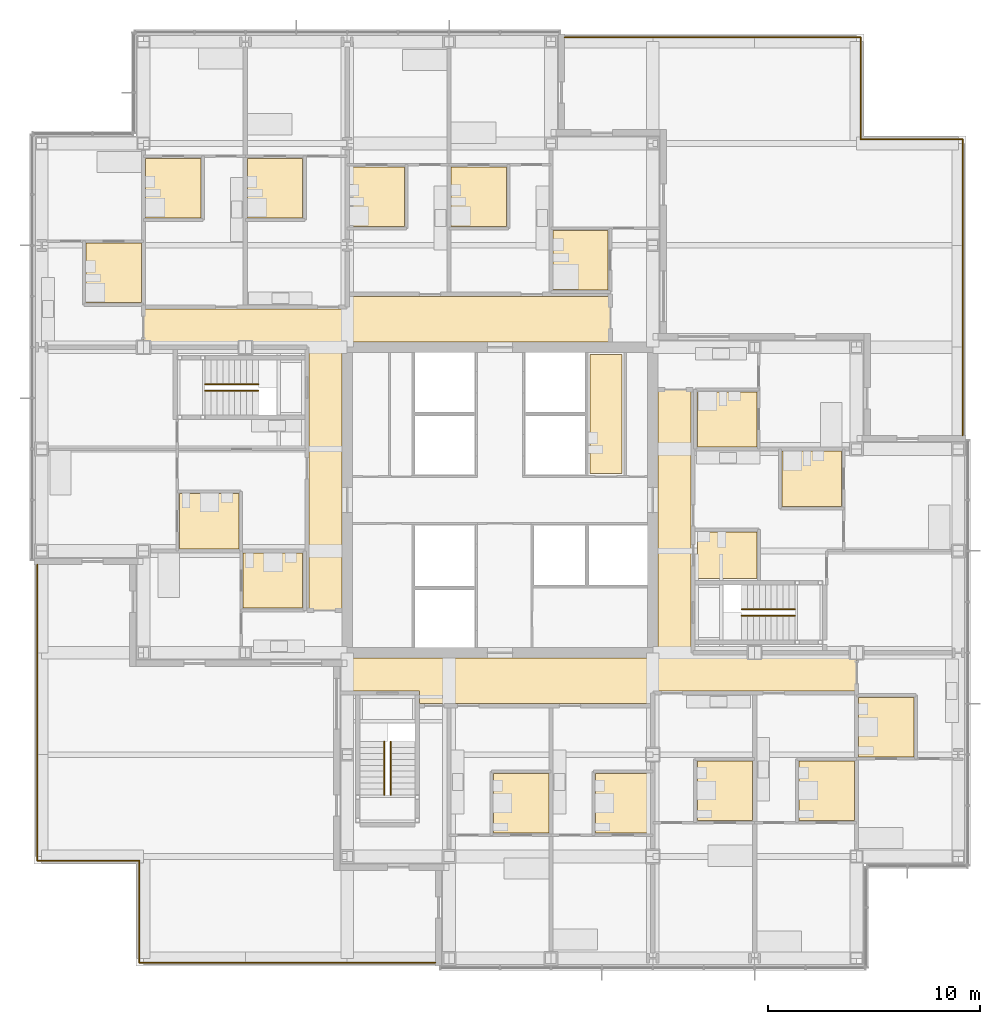
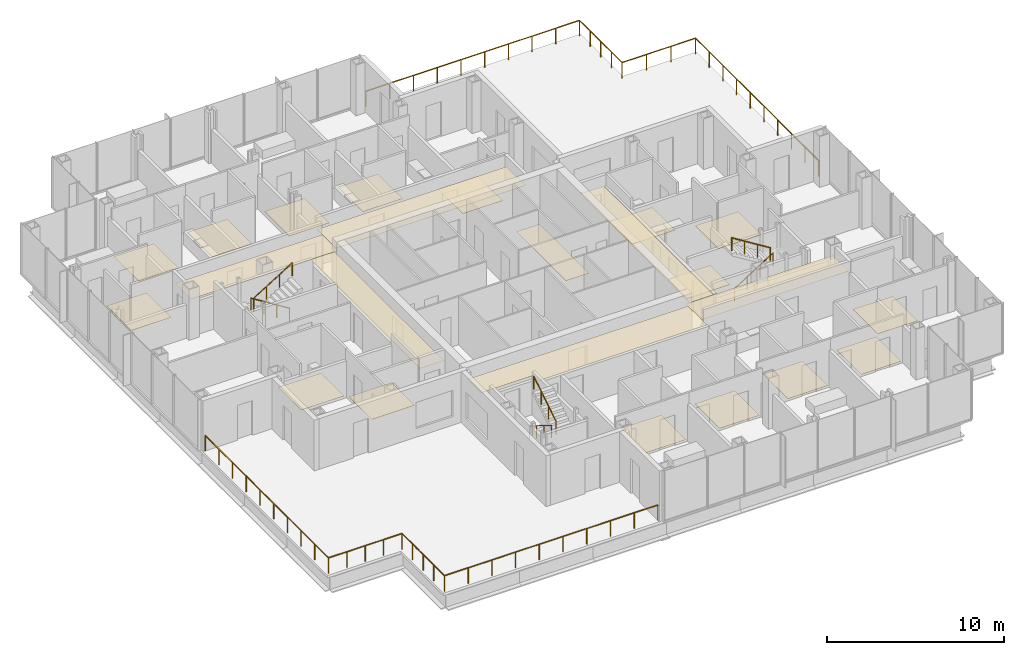
# One storey, part 17 of 19: 23 coverings, 14 railings.
"""IFC4 building model written with IfcOpenShell, lengths in metres."""

from ifc_helpers import new_model, si_unit, direction, frame, origin, origin_2d, place, context, subcontext, project, spatial, polyline, circle, outline, extrude, material, layer, layer_set, type_object, element, save


model = new_model("IFC4")

# Units and contexts
model_context = context("Model", 3, precision=1e-05, world=origin(), true_north=direction((0.0, 1.0)))
body_context = subcontext(model_context, "Body", "Model", "MODEL_VIEW")
ifc_project = project(units=[si_unit("LENGTHUNIT", "METRE"), si_unit("AREAUNIT", "SQUARE_METRE"), si_unit("VOLUMEUNIT", "CUBIC_METRE"), si_unit("PLANEANGLEUNIT", "RADIAN"), si_unit("MASSUNIT", "GRAM", prefix="KILO")], contexts=[model_context])

# Site, building, storey
site_placement = place(None, origin())
site = spatial("IfcSite", under=ifc_project, at=site_placement, CompositionType="ELEMENT")
building_placement = place(site_placement, origin())
building = spatial("IfcBuilding", under=site, at=building_placement, Name="Kvirike Care Tower", CompositionType="ELEMENT")
storey_placement = place(building_placement, frame((0.0, 0.0, 84.0)))
storey = spatial("IfcBuildingStorey", under=building, at=storey_placement, Name="L22", CompositionType="ELEMENT", Elevation=84.0)

# Coverings
ifc_material_1 = material(Name="Perforated metal ceiling tile", Category="aluminium")
ifc_layer_1 = layer(ifc_material_1, 0.014892578125)
ifc_layer_set_1 = layer_set([ifc_layer_1], Name="CORRIDOR CEILING 15")
covering_type_1 = type_object("IfcCoveringType", Name="CORRIDOR CEILING 15", PredefinedType="CEILING", material=ifc_layer_set_1)
covering_1_placement = place(storey_placement, frame((0.0, 0.0, 2.5)))
element("IfcCovering", 1, at=covering_1_placement, inside=storey, type_object=covering_type_1, Name="Corridor ceiling L22", PredefinedType="CEILING", context=body_context, shape_type="SweptSolid", body=[
    extrude(outline(polyline([(14.14990234375, 43.199951171875), (14.14990234375, 30.800048828125), (12.60009765625, 30.800048828125), (12.60009765625, 43.199951171875), (14.14990234375, 43.199951171875)])), origin(), (0.0, 0.0, 1.0), 0.014892578125),
])
covering_2_placement = place(storey_placement, frame((0.0, 0.0, 2.5)))
element("IfcCovering", 2, at=covering_2_placement, inside=storey, type_object=covering_type_1, Name="Corridor ceiling L22", PredefinedType="CEILING", context=body_context, shape_type="SweptSolid", body=[
    extrude(outline(polyline([(14.39990234375, 45.0), (14.39990234375, 43.199951171875), (4.800048828125, 43.199951171875), (4.800048828125, 45.0), (14.39990234375, 45.0)])), origin(), (0.0, 0.0, 1.0), 0.014892578125),
])
covering_3_placement = place(storey_placement, frame((0.0, 0.0, 2.5)))
element("IfcCovering", 3, at=covering_3_placement, inside=storey, type_object=covering_type_1, Name="Corridor ceiling L22", PredefinedType="CEILING", context=body_context, shape_type="SweptSolid", body=[
    extrude(outline(polyline([(14.39990234375, 28.550048828125), (28.800048828125, 28.550048828125), (28.800048828125, 26.39990234375), (17.800048828125, 26.39990234375), (17.800048828125, 27.0), (14.39990234375, 27.0), (14.39990234375, 28.550048828125)])), origin(), (0.0, 0.0, 1.0), 0.014892578125),
])
covering_4_placement = place(storey_placement, frame((0.0, 0.0, 2.5)))
element("IfcCovering", 4, at=covering_4_placement, inside=storey, type_object=covering_type_1, Name="Corridor ceiling L22", PredefinedType="CEILING", context=body_context, shape_type="SweptSolid", body=[
    extrude(outline(polyline([(14.39990234375, 43.449951171875), (14.39990234375, 45.60009765625), (26.800048828125, 45.60009765625), (26.800048828125, 43.449951171875), (14.39990234375, 43.449951171875)])), origin(), (0.0, 0.0, 1.0), 0.014892578125),
])
covering_5_placement = place(storey_placement, frame((0.0, 0.0, 2.5)))
element("IfcCovering", 5, at=covering_5_placement, inside=storey, type_object=covering_type_1, Name="Corridor ceiling L22", PredefinedType="CEILING", context=body_context, shape_type="SweptSolid", body=[
    extrude(outline(polyline([(28.800048828125, 27.0), (28.800048828125, 28.800048828125), (38.39990234375, 28.800048828125), (38.39990234375, 27.0), (28.800048828125, 27.0)])), origin(), (0.0, 0.0, 1.0), 0.014892578125),
])
covering_6_placement = place(storey_placement, frame((0.0, 0.0, 2.5)))
element("IfcCovering", 6, at=covering_6_placement, inside=storey, type_object=covering_type_1, Name="Corridor ceiling L22", PredefinedType="CEILING", context=body_context, shape_type="SweptSolid", body=[
    extrude(outline(polyline([(29.050048828125, 28.800048828125), (29.050048828125, 41.199951171875), (30.60009765625, 41.199951171875), (30.60009765625, 28.800048828125), (29.050048828125, 28.800048828125)])), origin(), (0.0, 0.0, 1.0), 0.014892578125),
])

# Railings
ifc_material_2 = material(Name="Stainless steel handrail", Category="steel")
railing_type_1 = type_object("IfcRailingType", Name="STAIR HANDRAIL 900", PredefinedType="HANDRAIL", material=ifc_material_2)
railing_1_placement = place(storey_placement, frame((10.219970703125, 41.449951171875, 0.175048828125)))
element("IfcRailing", 7, at=railing_1_placement, inside=storey, type_object=railing_type_1, Name="Stair 1 handrail L22 flight 1", PredefinedType="HANDRAIL", context=body_context, shape_type="SweptSolid", body=[
    extrude(circle(Radius=0.02490234375, at=origin_2d()), frame((0.0, 0.0, 0.875), z_axis=(-0.848007534815, 0.0, 0.529984170421), x_axis=(0.0, -1.0, 0.0)), (0.0, 0.0, 1.0), 2.9716796875),
    extrude(circle(Radius=0.02001953125, at=origin_2d()), origin(), (0.0, 0.0, 1.0), 0.849853515625),
    extrude(circle(Radius=0.02001953125, at=origin_2d()), frame((-0.840087890625, 0.0, 0.52490234375)), (0.0, 0.0, 1.0), 0.849853515625),
    extrude(circle(Radius=0.02001953125, at=origin_2d()), frame((-1.679931640625, 0.0, 1.050048828125)), (0.0, 0.0, 1.0), 0.849853515625),
    extrude(circle(Radius=0.02001953125, at=origin_2d()), frame((-2.52001953125, 0.0, 1.574951171875)), (0.0, 0.0, 1.0), 0.849853515625),
])
for number, where, name in (
    (8, (7.699951171875, 41.14990234375, 1.925048828125), "Stair 1 handrail L22 flight 2"),
    (9, (32.97998046875, 30.550048828125, 0.175048828125), "Stair 2 handrail L22 flight 1"),
):
    element("IfcRailing", number, at=place(storey_placement, frame(where)), inside=storey, type_object=railing_type_1, Name=name, PredefinedType="HANDRAIL", context=body_context, shape_type="SweptSolid", body=[
        extrude(circle(Radius=0.02490234375, at=origin_2d()), frame((0.0, 0.0, 0.875), z_axis=(0.848007534815, 0.0, 0.529984170421), x_axis=(0.0, 1.0, 0.0)), (0.0, 0.0, 1.0), 2.9716796875),
        extrude(circle(Radius=0.02001953125, at=origin_2d()), origin(), (0.0, 0.0, 1.0), 0.849853515625),
        extrude(circle(Radius=0.02001953125, at=origin_2d()), frame((0.840087890625, 0.0, 0.52490234375)), (0.0, 0.0, 1.0), 0.849853515625),
        extrude(circle(Radius=0.02001953125, at=origin_2d()), frame((1.679931640625, 0.0, 1.050048828125)), (0.0, 0.0, 1.0), 0.849853515625),
        extrude(circle(Radius=0.02001953125, at=origin_2d()), frame((2.52001953125, 0.0, 1.574951171875)), (0.0, 0.0, 1.0), 0.849853515625),
    ])
railing_2_placement = place(storey_placement, frame((35.5, 30.85009765625, 1.925048828125)))
element("IfcRailing", 10, at=railing_2_placement, inside=storey, type_object=railing_type_1, Name="Stair 2 handrail L22 flight 2", PredefinedType="HANDRAIL", context=body_context, shape_type="SweptSolid", body=[
    extrude(circle(Radius=0.02490234375, at=origin_2d()), frame((0.0, 0.0, 0.875), z_axis=(-0.848007534815, 0.0, 0.529984170421), x_axis=(0.0, -1.0, 0.0)), (0.0, 0.0, 1.0), 2.9716796875),
    extrude(circle(Radius=0.02001953125, at=origin_2d()), origin(), (0.0, 0.0, 1.0), 0.849853515625),
    extrude(circle(Radius=0.02001953125, at=origin_2d()), frame((-0.840087890625, 0.0, 0.52490234375)), (0.0, 0.0, 1.0), 0.849853515625),
    extrude(circle(Radius=0.02001953125, at=origin_2d()), frame((-1.679931640625, 0.0, 1.050048828125)), (0.0, 0.0, 1.0), 0.849853515625),
    extrude(circle(Radius=0.02001953125, at=origin_2d()), frame((-2.52001953125, 0.0, 1.574951171875)), (0.0, 0.0, 1.0), 0.849853515625),
])
railing_3_placement = place(storey_placement, frame((16.14990234375, 24.6201171875, 0.175048828125)))
element("IfcRailing", 11, at=railing_3_placement, inside=storey, type_object=railing_type_1, Name="Stair 5 handrail L22 flight 1", PredefinedType="HANDRAIL", context=body_context, shape_type="SweptSolid", body=[
    extrude(circle(Radius=0.02490234375, at=origin_2d()), frame((0.0, 0.0, 0.875), z_axis=(0.0, -0.848007534815, 0.529984170421), x_axis=(1.0, 0.0, 0.0)), (0.0, 0.0, 1.0), 2.9716796875),
    extrude(circle(Radius=0.02001953125, at=origin_2d()), origin(), (0.0, 0.0, 1.0), 0.849853515625),
    extrude(circle(Radius=0.02001953125, at=origin_2d()), frame((0.0, -0.840087890625, 0.52490234375)), (0.0, 0.0, 1.0), 0.849853515625),
    extrude(circle(Radius=0.02001953125, at=origin_2d()), frame((0.0, -1.679931640625, 1.050048828125)), (0.0, 0.0, 1.0), 0.849853515625),
    extrude(circle(Radius=0.02001953125, at=origin_2d()), frame((0.0, -2.52001953125, 1.574951171875)), (0.0, 0.0, 1.0), 0.849853515625),
])
railing_4_placement = place(storey_placement, frame((16.449951171875, 22.10009765625, 1.925048828125)))
element("IfcRailing", 12, at=railing_4_placement, inside=storey, type_object=railing_type_1, Name="Stair 5 handrail L22 flight 2", PredefinedType="HANDRAIL", context=body_context, shape_type="SweptSolid", body=[
    extrude(circle(Radius=0.02490234375, at=origin_2d()), frame((0.0, 0.0, 0.875), z_axis=(0.0, 0.848007534815, 0.529984170421), x_axis=(-1.0, 0.0, 0.0)), (0.0, 0.0, 1.0), 2.9716796875),
    extrude(circle(Radius=0.02001953125, at=origin_2d()), origin(), (0.0, 0.0, 1.0), 0.849853515625),
    extrude(circle(Radius=0.02001953125, at=origin_2d()), frame((0.0, 0.840087890625, 0.52490234375)), (0.0, 0.0, 1.0), 0.849853515625),
    extrude(circle(Radius=0.02001953125, at=origin_2d()), frame((0.0, 1.679931640625, 1.050048828125)), (0.0, 0.0, 1.0), 0.849853515625),
    extrude(circle(Radius=0.02001953125, at=origin_2d()), frame((0.0, 2.52001953125, 1.574951171875)), (0.0, 0.0, 1.0), 0.849853515625),
])
ifc_material_3 = material(Name="Bronze-finish steel guard with glass infill", Category="steel")
railing_type_2 = type_object("IfcRailingType", Name="TERRACE GUARD 1100", PredefinedType="GUARDRAIL", material=ifc_material_3)
railing_5_placement = place(storey_placement, frame((-0.199951171875, 32.949951171875, 0.0)))
element("IfcRailing", 13, at=railing_5_placement, inside=storey, type_object=railing_type_2, Name="Terrace guard L22 1", PredefinedType="GUARDRAIL", context=body_context, shape_type="SweptSolid", body=[
    extrude(circle(Radius=0.02392578125, at=origin_2d()), frame((0.0, 0.0, 1.076171875), z_axis=(0.0, -1.0, 0.0), x_axis=(1.0, 0.0, 0.0)), (0.0, 0.0, 1.0), 13.949951171875),
    extrude(circle(Radius=0.02099609375, at=origin_2d()), origin(), (0.0, 0.0, 1.0), 1.052001953125),
    extrude(circle(Radius=0.02099609375, at=origin_2d()), frame((0.0, -1.550048828125, 0.0)), (0.0, 0.0, 1.0), 1.052001953125),
    extrude(circle(Radius=0.02099609375, at=origin_2d()), frame((0.0, -3.10009765625, 0.0)), (0.0, 0.0, 1.0), 1.052001953125),
    extrude(circle(Radius=0.02099609375, at=origin_2d()), frame((0.0, -4.64990234375, 0.0)), (0.0, 0.0, 1.0), 1.052001953125),
    extrude(circle(Radius=0.02099609375, at=origin_2d()), frame((0.0, -6.199951171875, 0.0)), (0.0, 0.0, 1.0), 1.052001953125),
    extrude(circle(Radius=0.02099609375, at=origin_2d()), frame((0.0, -7.75, 0.0)), (0.0, 0.0, 1.0), 1.052001953125),
    extrude(circle(Radius=0.02099609375, at=origin_2d()), frame((0.0, -9.300048828125, 0.0)), (0.0, 0.0, 1.0), 1.052001953125),
    extrude(circle(Radius=0.02099609375, at=origin_2d()), frame((0.0, -10.849853515625, 0.0)), (0.0, 0.0, 1.0), 1.052001953125),
    extrude(circle(Radius=0.02099609375, at=origin_2d()), frame((0.0, -12.39990234375, 0.0)), (0.0, 0.0, 1.0), 1.052001953125),
    extrude(circle(Radius=0.02099609375, at=origin_2d()), frame((0.0, -13.949951171875, 0.0)), (0.0, 0.0, 1.0), 1.052001953125),
])
railing_6_placement = place(storey_placement, frame((-0.199951171875, 19.0, 0.0)))
element("IfcRailing", 14, at=railing_6_placement, inside=storey, type_object=railing_type_2, Name="Terrace guard L22 2", PredefinedType="GUARDRAIL", context=body_context, shape_type="SweptSolid", body=[
    extrude(circle(Radius=0.02392578125, at=origin_2d()), frame((0.0, 0.0, 1.076171875), z_axis=(1.0, 0.0, 0.0), x_axis=(0.0, 1.0, 0.0)), (0.0, 0.0, 1.0), 4.800048828125),
    extrude(circle(Radius=0.02099609375, at=origin_2d()), origin(), (0.0, 0.0, 1.0), 1.052001953125),
    extrude(circle(Radius=0.02099609375, at=origin_2d()), frame((1.199951171875, 0.0, 0.0)), (0.0, 0.0, 1.0), 1.052001953125),
    extrude(circle(Radius=0.02099609375, at=origin_2d()), frame((2.39990234375, 0.0, 0.0)), (0.0, 0.0, 1.0), 1.052001953125),
    extrude(circle(Radius=0.02099609375, at=origin_2d()), frame((3.60009765625, 0.0, 0.0)), (0.0, 0.0, 1.0), 1.052001953125),
    extrude(circle(Radius=0.02099609375, at=origin_2d()), frame((4.800048828125, 0.0, 0.0)), (0.0, 0.0, 1.0), 1.052001953125),
])
railing_7_placement = place(storey_placement, frame((4.60009765625, 19.0, 0.0)))
element("IfcRailing", 15, at=railing_7_placement, inside=storey, type_object=railing_type_2, Name="Terrace guard L22 3", PredefinedType="GUARDRAIL", context=body_context, shape_type="SweptSolid", body=[
    extrude(circle(Radius=0.02392578125, at=origin_2d()), frame((0.0, 0.0, 1.076171875), z_axis=(0.0, -1.0, 0.0), x_axis=(1.0, 0.0, 0.0)), (0.0, 0.0, 1.0), 4.800048828125),
    extrude(circle(Radius=0.02099609375, at=origin_2d()), origin(), (0.0, 0.0, 1.0), 1.052001953125),
    extrude(circle(Radius=0.02099609375, at=origin_2d()), frame((0.0, -1.199951171875, 0.0)), (0.0, 0.0, 1.0), 1.052001953125),
    extrude(circle(Radius=0.02099609375, at=origin_2d()), frame((0.0, -2.39990234375, 0.0)), (0.0, 0.0, 1.0), 1.052001953125),
    extrude(circle(Radius=0.02099609375, at=origin_2d()), frame((0.0, -3.60009765625, 0.0)), (0.0, 0.0, 1.0), 1.052001953125),
    extrude(circle(Radius=0.02099609375, at=origin_2d()), frame((0.0, -4.800048828125, 0.0)), (0.0, 0.0, 1.0), 1.052001953125),
])
railing_8_placement = place(storey_placement, frame((4.60009765625, 14.199951171875, 0.0)))
element("IfcRailing", 16, at=railing_8_placement, inside=storey, type_object=railing_type_2, Name="Terrace guard L22 4", PredefinedType="GUARDRAIL", context=body_context, shape_type="SweptSolid", body=[
    extrude(circle(Radius=0.02392578125, at=origin_2d()), frame((0.0, 0.0, 1.076171875), z_axis=(1.0, 0.0, 0.0), x_axis=(0.0, 1.0, 0.0)), (0.0, 0.0, 1.0), 13.949951171875),
    extrude(circle(Radius=0.02099609375, at=origin_2d()), origin(), (0.0, 0.0, 1.0), 1.052001953125),
    extrude(circle(Radius=0.02099609375, at=origin_2d()), frame((1.550048828125, 0.0, 0.0)), (0.0, 0.0, 1.0), 1.052001953125),
    extrude(circle(Radius=0.02099609375, at=origin_2d()), frame((3.10009765625, 0.0, 0.0)), (0.0, 0.0, 1.0), 1.052001953125),
    extrude(circle(Radius=0.02099609375, at=origin_2d()), frame((4.64990234375, 0.0, 0.0)), (0.0, 0.0, 1.0), 1.052001953125),
    extrude(circle(Radius=0.02099609375, at=origin_2d()), frame((6.199951171875, 0.0, 0.0)), (0.0, 0.0, 1.0), 1.052001953125),
    extrude(circle(Radius=0.02099609375, at=origin_2d()), frame((7.75, 0.0, 0.0)), (0.0, 0.0, 1.0), 1.052001953125),
    extrude(circle(Radius=0.02099609375, at=origin_2d()), frame((9.300048828125, 0.0, 0.0)), (0.0, 0.0, 1.0), 1.052001953125),
    extrude(circle(Radius=0.02099609375, at=origin_2d()), frame((10.849853515625, 0.0, 0.0)), (0.0, 0.0, 1.0), 1.052001953125),
    extrude(circle(Radius=0.02099609375, at=origin_2d()), frame((12.39990234375, 0.0, 0.0)), (0.0, 0.0, 1.0), 1.052001953125),
    extrude(circle(Radius=0.02099609375, at=origin_2d()), frame((13.949951171875, 0.0, 0.0)), (0.0, 0.0, 1.0), 1.052001953125),
])
railing_9_placement = place(storey_placement, frame((43.39990234375, 39.050048828125, 0.0)))
element("IfcRailing", 17, at=railing_9_placement, inside=storey, type_object=railing_type_2, Name="Terrace guard L22 5", PredefinedType="GUARDRAIL", context=body_context, shape_type="SweptSolid", body=[
    extrude(circle(Radius=0.02392578125, at=origin_2d()), frame((0.0, 0.0, 1.076171875), z_axis=(0.0, 1.0, 0.0), x_axis=(-1.0, 0.0, 0.0)), (0.0, 0.0, 1.0), 13.949951171875),
    extrude(circle(Radius=0.02099609375, at=origin_2d()), origin(), (0.0, 0.0, 1.0), 1.052001953125),
    extrude(circle(Radius=0.02099609375, at=origin_2d()), frame((0.0, 1.550048828125, 0.0)), (0.0, 0.0, 1.0), 1.052001953125),
    extrude(circle(Radius=0.02099609375, at=origin_2d()), frame((0.0, 3.10009765625, 0.0)), (0.0, 0.0, 1.0), 1.052001953125),
    extrude(circle(Radius=0.02099609375, at=origin_2d()), frame((0.0, 4.64990234375, 0.0)), (0.0, 0.0, 1.0), 1.052001953125),
    extrude(circle(Radius=0.02099609375, at=origin_2d()), frame((0.0, 6.199951171875, 0.0)), (0.0, 0.0, 1.0), 1.052001953125),
    extrude(circle(Radius=0.02099609375, at=origin_2d()), frame((0.0, 7.75, 0.0)), (0.0, 0.0, 1.0), 1.052001953125),
    extrude(circle(Radius=0.02099609375, at=origin_2d()), frame((0.0, 9.300048828125, 0.0)), (0.0, 0.0, 1.0), 1.052001953125),
    extrude(circle(Radius=0.02099609375, at=origin_2d()), frame((0.0, 10.849853515625, 0.0)), (0.0, 0.0, 1.0), 1.052001953125),
    extrude(circle(Radius=0.02099609375, at=origin_2d()), frame((0.0, 12.39990234375, 0.0)), (0.0, 0.0, 1.0), 1.052001953125),
    extrude(circle(Radius=0.02099609375, at=origin_2d()), frame((0.0, 13.949951171875, 0.0)), (0.0, 0.0, 1.0), 1.052001953125),
])
railing_10_placement = place(storey_placement, frame((43.39990234375, 53.0, 0.0)))
element("IfcRailing", 18, at=railing_10_placement, inside=storey, type_object=railing_type_2, Name="Terrace guard L22 6", PredefinedType="GUARDRAIL", context=body_context, shape_type="SweptSolid", body=[
    extrude(circle(Radius=0.02392578125, at=origin_2d()), frame((0.0, 0.0, 1.076171875), z_axis=(-1.0, 0.0, 0.0), x_axis=(0.0, -1.0, 0.0)), (0.0, 0.0, 1.0), 4.7998046875),
    extrude(circle(Radius=0.02099609375, at=origin_2d()), origin(), (0.0, 0.0, 1.0), 1.052001953125),
    extrude(circle(Radius=0.02099609375, at=origin_2d()), frame((-1.599853515625, 0.0, 0.0)), (0.0, 0.0, 1.0), 1.052001953125),
    extrude(circle(Radius=0.02099609375, at=origin_2d()), frame((-3.199951171875, 0.0, 0.0)), (0.0, 0.0, 1.0), 1.052001953125),
    extrude(circle(Radius=0.02099609375, at=origin_2d()), frame((-4.7998046875, 0.0, 0.0)), (0.0, 0.0, 1.0), 1.052001953125),
])
railing_11_placement = place(storey_placement, frame((38.60009765625, 53.0, 0.0)))
element("IfcRailing", 19, at=railing_11_placement, inside=storey, type_object=railing_type_2, Name="Terrace guard L22 7", PredefinedType="GUARDRAIL", context=body_context, shape_type="SweptSolid", body=[
    extrude(circle(Radius=0.02392578125, at=origin_2d()), frame((0.0, 0.0, 1.076171875), z_axis=(0.0, 1.0, 0.0), x_axis=(-1.0, 0.0, 0.0)), (0.0, 0.0, 1.0), 4.800048828125),
    extrude(circle(Radius=0.02099609375, at=origin_2d()), origin(), (0.0, 0.0, 1.0), 1.052001953125),
    extrude(circle(Radius=0.02099609375, at=origin_2d()), frame((0.0, 1.199951171875, 0.0)), (0.0, 0.0, 1.0), 1.052001953125),
    extrude(circle(Radius=0.02099609375, at=origin_2d()), frame((0.0, 2.39990234375, 0.0)), (0.0, 0.0, 1.0), 1.052001953125),
    extrude(circle(Radius=0.02099609375, at=origin_2d()), frame((0.0, 3.60009765625, 0.0)), (0.0, 0.0, 1.0), 1.052001953125),
    extrude(circle(Radius=0.02099609375, at=origin_2d()), frame((0.0, 4.800048828125, 0.0)), (0.0, 0.0, 1.0), 1.052001953125),
])
railing_12_placement = place(storey_placement, frame((38.60009765625, 57.800048828125, 0.0)))
element("IfcRailing", 20, at=railing_12_placement, inside=storey, type_object=railing_type_2, Name="Terrace guard L22 8", PredefinedType="GUARDRAIL", context=body_context, shape_type="SweptSolid", body=[
    extrude(circle(Radius=0.02392578125, at=origin_2d()), frame((0.0, 0.0, 1.076171875), z_axis=(-1.0, 0.0, 0.0), x_axis=(0.0, -1.0, 0.0)), (0.0, 0.0, 1.0), 13.9501953125),
    extrude(circle(Radius=0.02099609375, at=origin_2d()), origin(), (0.0, 0.0, 1.0), 1.052001953125),
    extrude(circle(Radius=0.02099609375, at=origin_2d()), frame((-1.550048828125, 0.0, 0.0)), (0.0, 0.0, 1.0), 1.052001953125),
    extrude(circle(Radius=0.02099609375, at=origin_2d()), frame((-3.10009765625, 0.0, 0.0)), (0.0, 0.0, 1.0), 1.052001953125),
    extrude(circle(Radius=0.02099609375, at=origin_2d()), frame((-4.650146484375, 0.0, 0.0)), (0.0, 0.0, 1.0), 1.052001953125),
    extrude(circle(Radius=0.02099609375, at=origin_2d()), frame((-6.2001953125, 0.0, 0.0)), (0.0, 0.0, 1.0), 1.052001953125),
    extrude(circle(Radius=0.02099609375, at=origin_2d()), frame((-7.75, 0.0, 0.0)), (0.0, 0.0, 1.0), 1.052001953125),
    extrude(circle(Radius=0.02099609375, at=origin_2d()), frame((-9.300048828125, 0.0, 0.0)), (0.0, 0.0, 1.0), 1.052001953125),
    extrude(circle(Radius=0.02099609375, at=origin_2d()), frame((-10.85009765625, 0.0, 0.0)), (0.0, 0.0, 1.0), 1.052001953125),
    extrude(circle(Radius=0.02099609375, at=origin_2d()), frame((-12.400146484375, 0.0, 0.0)), (0.0, 0.0, 1.0), 1.052001953125),
    extrude(circle(Radius=0.02099609375, at=origin_2d()), frame((-13.9501953125, 0.0, 0.0)), (0.0, 0.0, 1.0), 1.052001953125),
])

# Coverings
ifc_material_4 = material(Name="Slip-resistant vinyl safety flooring on screed")
ifc_layer_2 = layer(ifc_material_4, 0.02001953125)
ifc_layer_set_2 = layer_set([ifc_layer_2], Name="WET ROOM FLOOR 20")
covering_type_2 = type_object("IfcCoveringType", Name="WET ROOM FLOOR 20", PredefinedType="FLOORING", material=ifc_layer_set_2)
covering_7_placement = place(storey_placement, origin())
element("IfcCovering", 21, at=covering_7_placement, inside=storey, type_object=covering_type_2, Name="En-suite floor L22-005", PredefinedType="FLOORING", context=body_context, shape_type="SweptSolid", body=[
    extrude(outline(polyline([(6.5, 36.300048828125), (9.300048828125, 36.300048828125), (9.300048828125, 33.699951171875), (6.5, 33.699951171875), (6.5, 36.300048828125)])), origin(), (0.0, 0.0, 1.0), 0.02001953125),
])
covering_8_placement = place(storey_placement, origin())
element("IfcCovering", 22, at=covering_8_placement, inside=storey, type_object=covering_type_2, Name="En-suite floor L22-009", PredefinedType="FLOORING", context=body_context, shape_type="SweptSolid", body=[
    extrude(outline(polyline([(9.5, 33.5), (12.300048828125, 33.5), (12.300048828125, 30.89990234375), (9.5, 30.89990234375), (9.5, 33.5)])), origin(), (0.0, 0.0, 1.0), 0.02001953125),
])
covering_9_placement = place(storey_placement, origin())
element("IfcCovering", 23, at=covering_9_placement, inside=storey, type_object=covering_type_2, Name="En-suite floor L22-013", PredefinedType="FLOORING", context=body_context, shape_type="SweptSolid", body=[
    extrude(outline(polyline([(12.300048828125, 52.10009765625), (12.300048828125, 49.300048828125), (9.699951171875, 49.300048828125), (9.699951171875, 52.10009765625), (12.300048828125, 52.10009765625)])), origin(), (0.0, 0.0, 1.0), 0.02001953125),
])
covering_10_placement = place(storey_placement, origin())
element("IfcCovering", 24, at=covering_10_placement, inside=storey, type_object=covering_type_2, Name="En-suite floor L22-016", PredefinedType="FLOORING", context=body_context, shape_type="SweptSolid", body=[
    extrude(outline(polyline([(7.5, 52.10009765625), (7.5, 49.300048828125), (4.89990234375, 49.300048828125), (4.89990234375, 52.10009765625), (7.5, 52.10009765625)])), origin(), (0.0, 0.0, 1.0), 0.02001953125),
])
covering_11_placement = place(storey_placement, origin())
element("IfcCovering", 25, at=covering_11_placement, inside=storey, type_object=covering_type_2, Name="En-suite floor L22-019", PredefinedType="FLOORING", context=body_context, shape_type="SweptSolid", body=[
    extrude(outline(polyline([(4.699951171875, 48.10009765625), (4.699951171875, 45.300048828125), (2.10009765625, 45.300048828125), (2.10009765625, 48.10009765625), (4.699951171875, 48.10009765625)])), origin(), (0.0, 0.0, 1.0), 0.02001953125),
])
covering_12_placement = place(storey_placement, origin())
element("IfcCovering", 26, at=covering_12_placement, inside=storey, type_object=covering_type_2, Name="En-suite floor L22-025", PredefinedType="FLOORING", context=body_context, shape_type="SweptSolid", body=[
    extrude(outline(polyline([(21.300048828125, 20.300048828125), (21.300048828125, 23.10009765625), (23.89990234375, 23.10009765625), (23.89990234375, 20.300048828125), (21.300048828125, 20.300048828125)])), origin(), (0.0, 0.0, 1.0), 0.02001953125),
])
covering_13_placement = place(storey_placement, origin())
element("IfcCovering", 27, at=covering_13_placement, inside=storey, type_object=covering_type_2, Name="En-suite floor L22-028", PredefinedType="FLOORING", context=body_context, shape_type="SweptSolid", body=[
    extrude(outline(polyline([(26.10009765625, 20.300048828125), (26.10009765625, 23.10009765625), (28.699951171875, 23.10009765625), (28.699951171875, 20.300048828125), (26.10009765625, 20.300048828125)])), origin(), (0.0, 0.0, 1.0), 0.02001953125),
])
covering_14_placement = place(storey_placement, origin())
element("IfcCovering", 28, at=covering_14_placement, inside=storey, type_object=covering_type_2, Name="Assisted bathroom floor L22-032", PredefinedType="FLOORING", context=body_context, shape_type="SweptSolid", body=[
    extrude(outline(polyline([(26.699951171875, 48.699951171875), (26.699951171875, 45.89990234375), (24.10009765625, 45.89990234375), (24.10009765625, 48.699951171875), (26.699951171875, 48.699951171875)])), origin(), (0.0, 0.0, 1.0), 0.02001953125),
])
covering_15_placement = place(storey_placement, origin())
element("IfcCovering", 29, at=covering_15_placement, inside=storey, type_object=covering_type_2, Name="En-suite floor L22-035", PredefinedType="FLOORING", context=body_context, shape_type="SweptSolid", body=[
    extrude(outline(polyline([(21.89990234375, 51.699951171875), (21.89990234375, 48.89990234375), (19.300048828125, 48.89990234375), (19.300048828125, 51.699951171875), (21.89990234375, 51.699951171875)])), origin(), (0.0, 0.0, 1.0), 0.02001953125),
])
covering_16_placement = place(storey_placement, origin())
element("IfcCovering", 30, at=covering_16_placement, inside=storey, type_object=covering_type_2, Name="En-suite floor L22-038", PredefinedType="FLOORING", context=body_context, shape_type="SweptSolid", body=[
    extrude(outline(polyline([(17.10009765625, 51.699951171875), (17.10009765625, 48.89990234375), (14.5, 48.89990234375), (14.5, 51.699951171875), (17.10009765625, 51.699951171875)])), origin(), (0.0, 0.0, 1.0), 0.02001953125),
])
covering_17_placement = place(storey_placement, origin())
element("IfcCovering", 31, at=covering_17_placement, inside=storey, type_object=covering_type_2, Name="En-suite floor L22-042", PredefinedType="FLOORING", context=body_context, shape_type="SweptSolid", body=[
    extrude(outline(polyline([(30.89990234375, 20.89990234375), (30.89990234375, 23.699951171875), (33.5, 23.699951171875), (33.5, 20.89990234375), (30.89990234375, 20.89990234375)])), origin(), (0.0, 0.0, 1.0), 0.02001953125),
])
covering_18_placement = place(storey_placement, origin())
element("IfcCovering", 32, at=covering_18_placement, inside=storey, type_object=covering_type_2, Name="En-suite floor L22-045", PredefinedType="FLOORING", context=body_context, shape_type="SweptSolid", body=[
    extrude(outline(polyline([(35.699951171875, 20.89990234375), (35.699951171875, 23.699951171875), (38.300048828125, 23.699951171875), (38.300048828125, 20.89990234375), (35.699951171875, 20.89990234375)])), origin(), (0.0, 0.0, 1.0), 0.02001953125),
])
covering_19_placement = place(storey_placement, origin())
element("IfcCovering", 33, at=covering_19_placement, inside=storey, type_object=covering_type_2, Name="En-suite floor L22-048", PredefinedType="FLOORING", context=body_context, shape_type="SweptSolid", body=[
    extrude(outline(polyline([(38.5, 23.89990234375), (38.5, 26.699951171875), (41.10009765625, 26.699951171875), (41.10009765625, 23.89990234375), (38.5, 23.89990234375)])), origin(), (0.0, 0.0, 1.0), 0.02001953125),
])
covering_20_placement = place(storey_placement, origin())
element("IfcCovering", 34, at=covering_20_placement, inside=storey, type_object=covering_type_2, Name="Accessible WC floor L22-054", PredefinedType="FLOORING", context=body_context, shape_type="SweptSolid", body=[
    extrude(outline(polyline([(33.699951171875, 32.300048828125), (30.89990234375, 32.300048828125), (30.89990234375, 34.5), (33.699951171875, 34.5), (33.699951171875, 32.300048828125)])), origin(), (0.0, 0.0, 1.0), 0.02001953125),
])
covering_21_placement = place(storey_placement, origin())
element("IfcCovering", 35, at=covering_21_placement, inside=storey, type_object=covering_type_2, Name="En-suite floor L22-055", PredefinedType="FLOORING", context=body_context, shape_type="SweptSolid", body=[
    extrude(outline(polyline([(37.699951171875, 35.699951171875), (34.89990234375, 35.699951171875), (34.89990234375, 38.300048828125), (37.699951171875, 38.300048828125), (37.699951171875, 35.699951171875)])), origin(), (0.0, 0.0, 1.0), 0.02001953125),
])
covering_22_placement = place(storey_placement, origin())
element("IfcCovering", 36, at=covering_22_placement, inside=storey, type_object=covering_type_2, Name="En-suite floor L22-058", PredefinedType="FLOORING", context=body_context, shape_type="SweptSolid", body=[
    extrude(outline(polyline([(33.699951171875, 38.5), (30.89990234375, 38.5), (30.89990234375, 41.10009765625), (33.699951171875, 41.10009765625), (33.699951171875, 38.5)])), origin(), (0.0, 0.0, 1.0), 0.02001953125),
])
covering_23_placement = place(storey_placement, origin())
element("IfcCovering", 37, at=covering_23_placement, inside=storey, type_object=covering_type_2, Name="Staff WC floor L22-067", PredefinedType="FLOORING", context=body_context, shape_type="SweptSolid", body=[
    extrude(outline(polyline([(27.35009765625, 37.25), (25.85009765625, 37.25), (25.85009765625, 42.85009765625), (27.35009765625, 42.85009765625), (27.35009765625, 37.25)])), origin(), (0.0, 0.0, 1.0), 0.02001953125),
])

save(model, "model.ifc")
